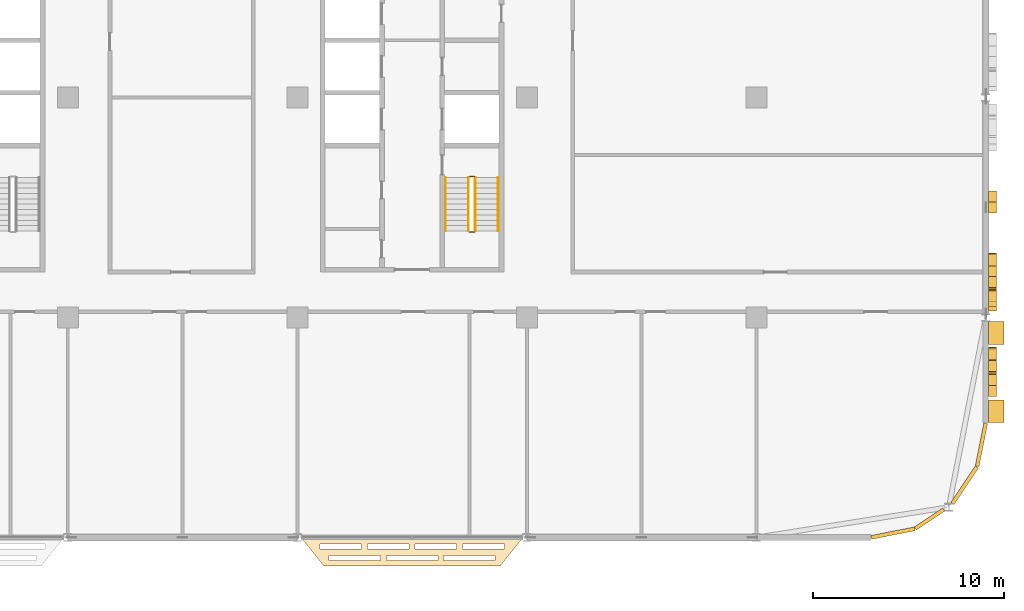
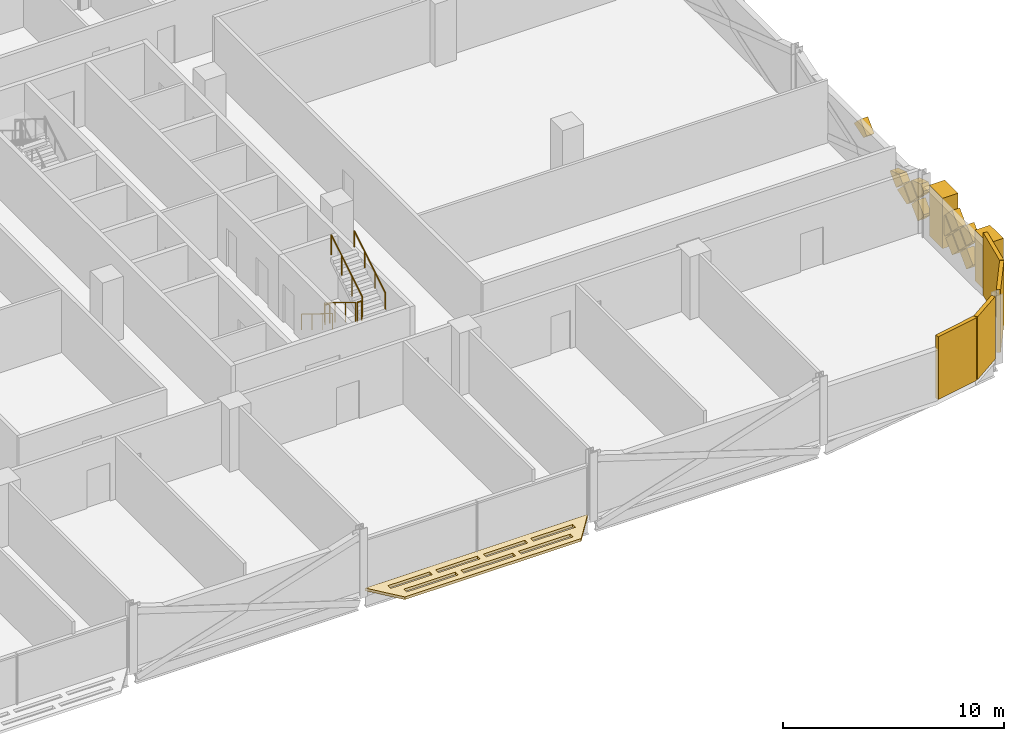
# One storey, part 29 of 30: 19 coverings, 6 railings.
"""IFC4 building model written with IfcOpenShell, lengths in metres."""

from ifc_helpers import new_model, si_unit, direction, frame, origin, origin_2d, place, context, subcontext, project, spatial, polyline, rectangle, circle, outline, extrude, material, layer, layer_set, type_object, element, save


model = new_model("IFC4")

# Units and contexts
model_context = context("Model", 3, precision=1e-05, world=origin(), true_north=direction((0.0, 1.0)))
body_context = subcontext(model_context, "Body", "Model", "MODEL_VIEW")
ifc_project = project(units=[si_unit("LENGTHUNIT", "METRE"), si_unit("AREAUNIT", "SQUARE_METRE"), si_unit("VOLUMEUNIT", "CUBIC_METRE"), si_unit("PLANEANGLEUNIT", "RADIAN"), si_unit("MASSUNIT", "GRAM", prefix="KILO")], contexts=[model_context])

# Site, building, storey
site_placement = place(None, origin())
site = spatial("IfcSite", under=ifc_project, at=site_placement, CompositionType="ELEMENT")
building_placement = place(site_placement, origin())
building = spatial("IfcBuilding", under=site, at=building_placement, Name="Mahtab Terrace Research Tower", CompositionType="ELEMENT")
storey_placement = place(building_placement, frame((0.0, 0.0, 205.300048828125)))
storey = spatial("IfcBuildingStorey", under=building, at=storey_placement, Name="L49", CompositionType="ELEMENT", Elevation=205.300048828125)

# Coverings
ifc_material_1 = material(Name="Black aluminium cladding panel", Category="aluminium")
ifc_layer_1 = layer(ifc_material_1, 0.199951171875)
ifc_layer_set_1 = layer_set([ifc_layer_1], Name="Black metal corner cladding 200")
covering_type_1 = type_object("IfcCoveringType", Name="Black metal corner cladding 200", PredefinedType="CLADDING", material=ifc_layer_set_1)
covering_1_placement = place(storey_placement, frame((49.14794921875, -22.771484375, 0.0), z_axis=(0.0, 0.0, 1.0), x_axis=(0.980760981187, 0.195212442692, 0.0)))
element("IfcCovering", 1, at=covering_1_placement, inside=storey, type_object=covering_type_1, Name="Corner cladding L49 31", PredefinedType="CLADDING", context=body_context, shape_type="SweptSolid", body=[
    extrude(rectangle(XDim=2.30126953125, YDim=0.199951171875, at=origin_2d()), origin(), (0.0, 0.0, 1.0), 3.4599609375),
])
covering_2_placement = place(storey_placement, frame((51.059814453125, -22.032958984375, 0.0), z_axis=(0.0, 0.0, 1.0), x_axis=(0.831655794326, 0.555291490808, 0.0)))
element("IfcCovering", 2, at=covering_2_placement, inside=storey, type_object=covering_type_1, Name="Corner cladding L49 32", PredefinedType="CLADDING", context=body_context, shape_type="SweptSolid", body=[
    extrude(rectangle(XDim=1.797119140625, YDim=0.199951171875, at=origin_2d()), origin(), (0.0, 0.0, 1.0), 3.4599609375),
])
for number, where, z_axis, x_axis, name in (
    (3, (52.89306640625, -20.26953125, 0.0), (0.0, 0.0, 1.0), (0.555291490808, 0.831655794326, 0.0), "Corner cladding L49 33"),
    (4, (53.771484375, -18.14794921875, 0.0), (0.0, 0.0, 1.0), (0.195212442692, 0.980760981187, 0.0), "Corner cladding L49 34"),
):
    element("IfcCovering", number, at=place(storey_placement, frame(where, z_axis=z_axis, x_axis=x_axis)), inside=storey, type_object=covering_type_1, Name=name, PredefinedType="CLADDING", context=body_context, shape_type="SweptSolid", body=[
        extrude(rectangle(XDim=2.30126953125, YDim=0.199951171875, at=origin_2d()), origin(), (0.0, 0.0, 1.0), 3.4599609375),
    ])
ifc_material_2 = material(Name="Black anodised aluminium", Category="aluminium")
ifc_layer_2 = layer(ifc_material_2, 0.14990234375)
ifc_layer_set_2 = layer_set([ifc_layer_2], Name="Horizontal sunshade band")
covering_type_2 = type_object("IfcCoveringType", Name="Horizontal sunshade band", PredefinedType="CLADDING", material=ifc_layer_set_2)
covering_3_placement = place(storey_placement, frame((0.0, 0.0, -0.150146484375)))
element("IfcCovering", 5, at=covering_3_placement, inside=storey, type_object=covering_type_2, Name="Sunshade band L49 28", PredefinedType="CLADDING", context=body_context, shape_type="SweptSolid", body=[
    extrude(outline(polyline([(18.199951171875, -23.0), (29.800048828125, -23.0), (28.60009765625, -24.5), (19.39990234375, -24.5), (18.199951171875, -23.0)]), holes=[polyline([(19.179931640625, -23.35009765625), (21.364990234375, -23.35009765625), (21.364990234375, -23.60009765625), (19.179931640625, -23.60009765625), (19.179931640625, -23.35009765625)]), polyline([(21.6650390625, -23.35009765625), (23.85009765625, -23.35009765625), (23.85009765625, -23.60009765625), (21.6650390625, -23.60009765625), (21.6650390625, -23.35009765625)]), polyline([(24.14990234375, -23.35009765625), (26.3349609375, -23.35009765625), (26.3349609375, -23.60009765625), (24.14990234375, -23.60009765625), (24.14990234375, -23.35009765625)]), polyline([(26.635009765625, -23.35009765625), (28.820068359375, -23.35009765625), (28.820068359375, -23.60009765625), (26.635009765625, -23.60009765625), (26.635009765625, -23.35009765625)]), polyline([(19.659912109375, -23.949951171875), (22.35302734375, -23.949951171875), (22.35302734375, -24.199951171875), (19.659912109375, -24.199951171875), (19.659912109375, -23.949951171875)]), polyline([(22.653076171875, -23.949951171875), (25.346923828125, -23.949951171875), (25.346923828125, -24.199951171875), (22.653076171875, -24.199951171875), (22.653076171875, -23.949951171875)]), polyline([(25.64697265625, -23.949951171875), (28.340087890625, -23.949951171875), (28.340087890625, -24.199951171875), (25.64697265625, -24.199951171875), (25.64697265625, -23.949951171875)])]), origin(), (0.0, 0.0, 1.0), 0.150146484375),
])
ifc_material_3 = material(Name="Bronze anodised aluminium", Category="aluminium")
ifc_layer_3 = layer(ifc_material_3, 0.39990234375)
ifc_layer_set_3 = layer_set([ifc_layer_3], Name="Mashrabiya relief panel 400")
covering_type_3 = type_object("IfcCoveringType", Name="Mashrabiya relief panel 400", PredefinedType="CLADDING", material=ifc_layer_set_3)
for number, where, z_axis, x_axis, name in (
    (6, (54.14990234375, -15.050048828125, 1.329833984375), (-1.0, 0.0, 0.0), (0.0, 0.707255598772, -0.706957932274), "Mashrabiya lattice cell L49 E35.1"),
    (7, (54.14990234375, -15.050048828125, 2.6298828125), (-1.0, 0.0, 0.0), (0.0, 0.707255598772, -0.706957932274), "Mashrabiya lattice cell L49 E35.2"),
):
    element("IfcCovering", number, at=place(storey_placement, frame(where, z_axis=z_axis, x_axis=x_axis)), inside=storey, type_object=covering_type_3, Name=name, PredefinedType="CLADDING", context=body_context, shape_type="SweptSolid", body=[
        extrude(outline(polyline([(0.0, 0.0), (0.8201817362875763, 0.0), (0.8200090664636573, 0.8203543334390104), (-0.00017259715143413956, 0.8200090664636573), (0.0, 0.0)])), origin(), (0.0, 0.0, -1.0), 0.39990234375),
    ])
covering_4_placement = place(storey_placement, frame((54.14990234375, -14.39990234375, 1.97998046875), z_axis=(-1.0, 0.0, 0.0), x_axis=(0.0, 0.706957932274, -0.707255598772)))
element("IfcCovering", 8, at=covering_4_placement, inside=storey, type_object=covering_type_3, Name="Mashrabiya lattice cell L49 E35.3", PredefinedType="CLADDING", context=body_context, shape_type="SweptSolid", body=[
    extrude(outline(polyline([(0.0, 0.0), (0.8201817362875763, 0.0), (0.8203543334390104, 0.8200090664636573), (0.00017266982391900276, 0.8203543334390104), (0.0, 0.0)])), origin(), (0.0, 0.0, -1.0), 0.39990234375),
])
for number, where, z_axis, x_axis, name in (
    (9, (54.14990234375, -13.75, 1.329833984375), (-1.0, 0.0, 0.0), (0.0, 0.707255598772, -0.706957932274), "Mashrabiya lattice cell L49 E35.4"),
    (10, (54.14990234375, -13.75, 2.6298828125), (-1.0, 0.0, 0.0), (0.0, 0.707255598772, -0.706957932274), "Mashrabiya lattice cell L49 E35.5"),
):
    element("IfcCovering", number, at=place(storey_placement, frame(where, z_axis=z_axis, x_axis=x_axis)), inside=storey, type_object=covering_type_3, Name=name, PredefinedType="CLADDING", context=body_context, shape_type="SweptSolid", body=[
        extrude(outline(polyline([(0.0, 0.0), (0.8201817362875763, 0.0), (0.8200090664636573, 0.8203543334390104), (-0.0003452669753531423, 0.8201816636150915), (0.0, 0.0)])), origin(), (0.0, 0.0, -1.0), 0.39990234375),
    ])
covering_5_placement = place(storey_placement, frame((54.14990234375, -13.10009765625, 0.820068359375), z_axis=(-1.0, 0.0, 0.0), x_axis=(0.0, -0.707106781187, 0.707106781187)))
element("IfcCovering", 11, at=covering_5_placement, inside=storey, type_object=covering_type_3, Name="Mashrabiya lattice cell L49 E35.6", PredefinedType="CLADDING", context=body_context, shape_type="SweptSolid", body=[
    extrude(outline(polyline([(0.0, 0.0), (0.8200090846279543, 0.0), (0.820181718119455, 0.820181718119455), (0.7281680671496235, 0.8203543516109556), (-0.00017263349150062335, 0.09201365096983151), (0.0, 0.0)])), origin(), (0.0, 0.0, -1.0), 0.39990234375),
])
covering_6_placement = place(storey_placement, frame((54.14990234375, -10.64990234375, 1.329833984375), z_axis=(-1.0, 0.0, 0.0), x_axis=(0.0, 0.707106781187, -0.707106781187)))
element("IfcCovering", 12, at=covering_6_placement, inside=storey, type_object=covering_type_3, Name="Mashrabiya lattice cell L49 E36.1", PredefinedType="CLADDING", context=body_context, shape_type="SweptSolid", body=[
    extrude(outline(polyline([(0.0, 0.0), (0.8200090846279543, 0.0), (0.820181718119455, 0.820181718119455), (0.0916683839868303, 0.820181718119455), (-0.0001726334915005956, 0.728340700641124), (0.0, 0.0)])), origin(), (0.0, 0.0, -1.0), 0.39990234375),
])
covering_7_placement = place(storey_placement, frame((54.14990234375, -10.070068359375, 2.050048828125), z_axis=(-1.0, 0.0, 0.0), x_axis=(0.0, -0.706957932274, -0.707255598772)))
element("IfcCovering", 13, at=covering_7_placement, inside=storey, type_object=covering_type_3, Name="Mashrabiya lattice cell L49 E36.2", PredefinedType="CLADDING", context=body_context, shape_type="SweptSolid", body=[
    extrude(outline(polyline([(0.0, 0.0), (0.8201817362875763, 0.0), (0.8202010671685369, 0.7283407208436468), (0.7281680510197277, 0.8203350025580498), (0.37599573615954646, 0.8202608766235392), (-1.5479239265467348e-05, 0.07354186575021432), (0.0, 0.0)])), origin(), (0.0, 0.0, -1.0), 0.39990234375),
])
covering_8_placement = place(storey_placement, frame((54.14990234375, -10.0, 1.97998046875), z_axis=(-1.0, 0.0, 0.0), x_axis=(0.0, 0.707106781187, -0.707106781187)))
element("IfcCovering", 14, at=covering_8_placement, inside=storey, type_object=covering_type_3, Name="Mashrabiya lattice cell L49 E36.3", PredefinedType="CLADDING", context=body_context, shape_type="SweptSolid", body=[
    extrude(outline(polyline([(0.0, 0.0), (0.8203543516109556, 0.0), (0.820181718119455, 0.820181718119455), (0.0, 0.8203543516109556), (0.0, 0.0)])), origin(), (0.0, 0.0, -1.0), 0.39990234375),
])
covering_9_placement = place(storey_placement, frame((54.14990234375, -9.929931640625, 0.75), z_axis=(-1.0, 0.0, 0.0), x_axis=(0.0, 0.707106781187, 0.707106781187)))
element("IfcCovering", 15, at=covering_9_placement, inside=storey, type_object=covering_type_3, Name="Mashrabiya lattice cell L49 E36.4", PredefinedType="CLADDING", context=body_context, shape_type="SweptSolid", body=[
    extrude(outline(polyline([(0.0, 0.0), (0.8200090846279543, 0.0), (0.8200090846279543, 0.7820297164978175), (0.0, 0.3690904048283298), (0.0, 0.0)])), origin(), (0.0, 0.0, -1.0), 0.39990234375),
])
covering_10_placement = place(storey_placement, frame((54.14990234375, -8.1201171875, 1.39990234375), z_axis=(-1.0, 0.0, 0.0), x_axis=(0.0, -0.707106781187, -0.707106781187)))
element("IfcCovering", 16, at=covering_10_placement, inside=storey, type_object=covering_type_3, Name="Mashrabiya lattice cell L49 E36.5", PredefinedType="CLADDING", context=body_context, shape_type="SweptSolid", body=[
    extrude(outline(polyline([(0.0, 0.0), (0.8200090846279543, 0.0), (0.820181718119455, 0.820181718119455), (0.3689177713368291, 0.820181718119455), (-0.00017263349150062335, 0.08614411225881036), (0.0, 0.0)])), origin(), (0.0, 0.0, -1.0), 0.39990234375),
])
covering_11_placement = place(storey_placement, frame((54.14990234375, -6.030029296875, 2.050048828125), z_axis=(-1.0, 0.0, 0.0), x_axis=(0.0, 0.707255598772, 0.706957932274)))
element("IfcCovering", 17, at=covering_11_placement, inside=storey, type_object=covering_type_3, Name="Mashrabiya lattice cell L49 E36.6", PredefinedType="CLADDING", context=body_context, shape_type="SweptSolid", body=[
    extrude(outline(polyline([(0.0, 0.0), (0.8201817362875763, 0.0), (0.8203487376576798, 0.7934235093614672), (0.009921392971828785, 0.3861790407666462), (0.0, 0.0)])), origin(), (0.0, 0.0, -1.0), 0.39990234375),
])
ifc_material_4 = material(Name="Glazed ceramic tile cladding", Category="masonry")
ifc_layer_4 = layer(ifc_material_4, 0.800048828125)
ifc_layer_set_4 = layer_set([ifc_layer_4], Name="Pishtaq frame pier 800")
covering_type_4 = type_object("IfcCoveringType", Name="Pishtaq frame pier 800", PredefinedType="CLADDING", material=ifc_layer_set_4)
for number, where, z_axis, x_axis, name in (
    (18, (54.550048828125, -16.39990234375, 0.0), (0.0, 0.0, 1.0), (0.0, 1.0, 0.0), "Pishtaq frame pier 35a"),
    (19, (54.550048828125, -12.300048828125, 0.0), (0.0, 0.0, 1.0), (0.0, 1.0, 0.0), "Pishtaq frame pier 35b"),
):
    element("IfcCovering", number, at=place(storey_placement, frame(where, z_axis=z_axis, x_axis=x_axis)), inside=storey, type_object=covering_type_4, Name=name, PredefinedType="CLADDING", context=body_context, shape_type="SweptSolid", body=[
        extrude(rectangle(XDim=1.199951171875, YDim=0.800048828125, at=origin_2d()), origin(), (0.0, 0.0, 1.0), 2.781982421875),
    ])

# Railings
ifc_material_5 = material(Name="Stainless steel AISI 304", Category="steel")
railing_type_1 = type_object("IfcRailingType", Name="Stair guard 1100", PredefinedType="GUARDRAIL", material=ifc_material_5)
railing_1_placement = place(storey_placement, frame((26.949951171875, -4.175048828125, 0.172607421875)))
element("IfcRailing", 20, at=railing_1_placement, inside=storey, type_object=railing_type_1, Name="L49 ST4 stair guard 1", PredefinedType="GUARDRAIL", context=body_context, shape_type="SweptSolid", body=[
    extrude(circle(Radius=0.02392578125, at=origin_2d()), frame((0.0, 0.0, 1.076171875), z_axis=(0.0, -0.851089632645, 0.525020415988), x_axis=(1.0, 0.0, 0.0)), (0.0, 0.0, 1.0), 3.2900390625),
    extrude(circle(Radius=0.02099609375, at=origin_2d()), origin(), (0.0, 0.0, 1.0), 1.052001953125),
    extrude(circle(Radius=0.02099609375, at=origin_2d()), frame((0.0, -0.933349609375, 0.57568359375)), (0.0, 0.0, 1.0), 1.052001953125),
    extrude(circle(Radius=0.02099609375, at=origin_2d()), frame((0.0, -1.86669921875, 1.151611328125)), (0.0, 0.0, 1.0), 1.052001953125),
    extrude(circle(Radius=0.02099609375, at=origin_2d()), frame((0.0, -2.800048828125, 1.727294921875)), (0.0, 0.0, 1.0), 1.052001953125),
])
railing_2_placement = place(storey_placement, frame((27.0, -7.02490234375, 1.89990234375)))
element("IfcRailing", 21, at=railing_2_placement, inside=storey, type_object=railing_type_1, Name="L49 ST4 stair guard 2", PredefinedType="GUARDRAIL", context=body_context, shape_type="SweptSolid", body=[
    extrude(circle(Radius=0.02392578125, at=origin_2d()), frame((0.0, 0.0, 1.076171875), z_axis=(1.0, 0.0, 0.0), x_axis=(0.0, 1.0, 0.0)), (0.0, 0.0, 1.0), 0.25),
    extrude(circle(Radius=0.02099609375, at=origin_2d()), origin(), (0.0, 0.0, 1.0), 1.052001953125),
    extrude(circle(Radius=0.02099609375, at=origin_2d()), frame((0.25, 0.0, 0.0)), (0.0, 0.0, 1.0), 1.052001953125),
])
railing_3_placement = place(storey_placement, frame((27.300048828125, -6.97509765625, 2.07275390625)))
element("IfcRailing", 22, at=railing_3_placement, inside=storey, type_object=railing_type_1, Name="L49 ST4 stair guard 3", PredefinedType="GUARDRAIL", context=body_context, shape_type="SweptSolid", body=[
    extrude(circle(Radius=0.02392578125, at=origin_2d()), frame((0.0, 0.0, 1.076171875), z_axis=(0.0, 0.851089632645, 0.525020415988), x_axis=(-1.0, 0.0, 0.0)), (0.0, 0.0, 1.0), 3.2900390625),
    extrude(circle(Radius=0.02099609375, at=origin_2d()), origin(), (0.0, 0.0, 1.0), 1.052001953125),
    extrude(circle(Radius=0.02099609375, at=origin_2d()), frame((0.0, 0.933349609375, 0.57568359375)), (0.0, 0.0, 1.0), 1.052001953125),
    extrude(circle(Radius=0.02099609375, at=origin_2d()), frame((0.0, 1.86669921875, 1.151611328125)), (0.0, 0.0, 1.0), 1.052001953125),
    extrude(circle(Radius=0.02099609375, at=origin_2d()), frame((0.0, 2.800048828125, 1.727294921875)), (0.0, 0.0, 1.0), 1.052001953125),
])
railing_4_placement = place(storey_placement, frame((27.0, -4.125, 0.0)))
element("IfcRailing", 23, at=railing_4_placement, inside=storey, type_object=railing_type_1, Name="L49 ST4 stair guard 4", PredefinedType="GUARDRAIL", context=body_context, shape_type="SweptSolid", body=[
    extrude(circle(Radius=0.02392578125, at=origin_2d()), frame((0.0, 0.0, 1.076171875), z_axis=(1.0, 0.0, 0.0), x_axis=(0.0, 1.0, 0.0)), (0.0, 0.0, 1.0), 0.25),
    extrude(circle(Radius=0.02099609375, at=origin_2d()), origin(), (0.0, 0.0, 1.0), 1.052001953125),
    extrude(circle(Radius=0.02099609375, at=origin_2d()), frame((0.25, 0.0, 0.0)), (0.0, 0.0, 1.0), 1.052001953125),
])
railing_type_2 = type_object("IfcRailingType", Name="Stair handrail 900", PredefinedType="HANDRAIL", material=ifc_material_5)
railing_5_placement = place(storey_placement, frame((25.75, -4.175048828125, 0.172607421875)))
element("IfcRailing", 24, at=railing_5_placement, inside=storey, type_object=railing_type_2, Name="L49 ST4 stair handrail 1", PredefinedType="HANDRAIL", context=body_context, shape_type="SweptSolid", body=[
    extrude(circle(Radius=0.02392578125, at=origin_2d()), frame((0.0, 0.0, 0.8759765625), z_axis=(0.0, -0.851089632645, 0.525020415988), x_axis=(1.0, 0.0, 0.0)), (0.0, 0.0, 1.0), 3.2900390625),
    extrude(circle(Radius=0.02099609375, at=origin_2d()), origin(), (0.0, 0.0, 1.0), 0.851806640625),
    extrude(circle(Radius=0.02099609375, at=origin_2d()), frame((0.0, -0.933349609375, 0.57568359375)), (0.0, 0.0, 1.0), 0.851806640625),
    extrude(circle(Radius=0.02099609375, at=origin_2d()), frame((0.0, -1.86669921875, 1.151611328125)), (0.0, 0.0, 1.0), 0.851806640625),
    extrude(circle(Radius=0.02099609375, at=origin_2d()), frame((0.0, -2.800048828125, 1.727294921875)), (0.0, 0.0, 1.0), 0.851806640625),
])
railing_6_placement = place(storey_placement, frame((28.5, -6.97509765625, 2.07275390625)))
element("IfcRailing", 25, at=railing_6_placement, inside=storey, type_object=railing_type_2, Name="L49 ST4 stair handrail 2", PredefinedType="HANDRAIL", context=body_context, shape_type="SweptSolid", body=[
    extrude(circle(Radius=0.02392578125, at=origin_2d()), frame((0.0, 0.0, 0.8759765625), z_axis=(0.0, 0.851089632645, 0.525020415988), x_axis=(-1.0, 0.0, 0.0)), (0.0, 0.0, 1.0), 3.2900390625),
    extrude(circle(Radius=0.02099609375, at=origin_2d()), origin(), (0.0, 0.0, 1.0), 0.851806640625),
    extrude(circle(Radius=0.02099609375, at=origin_2d()), frame((0.0, 0.933349609375, 0.57568359375)), (0.0, 0.0, 1.0), 0.851806640625),
    extrude(circle(Radius=0.02099609375, at=origin_2d()), frame((0.0, 1.86669921875, 1.151611328125)), (0.0, 0.0, 1.0), 0.851806640625),
    extrude(circle(Radius=0.02099609375, at=origin_2d()), frame((0.0, 2.800048828125, 1.727294921875)), (0.0, 0.0, 1.0), 0.851806640625),
])

save(model, "model.ifc")
